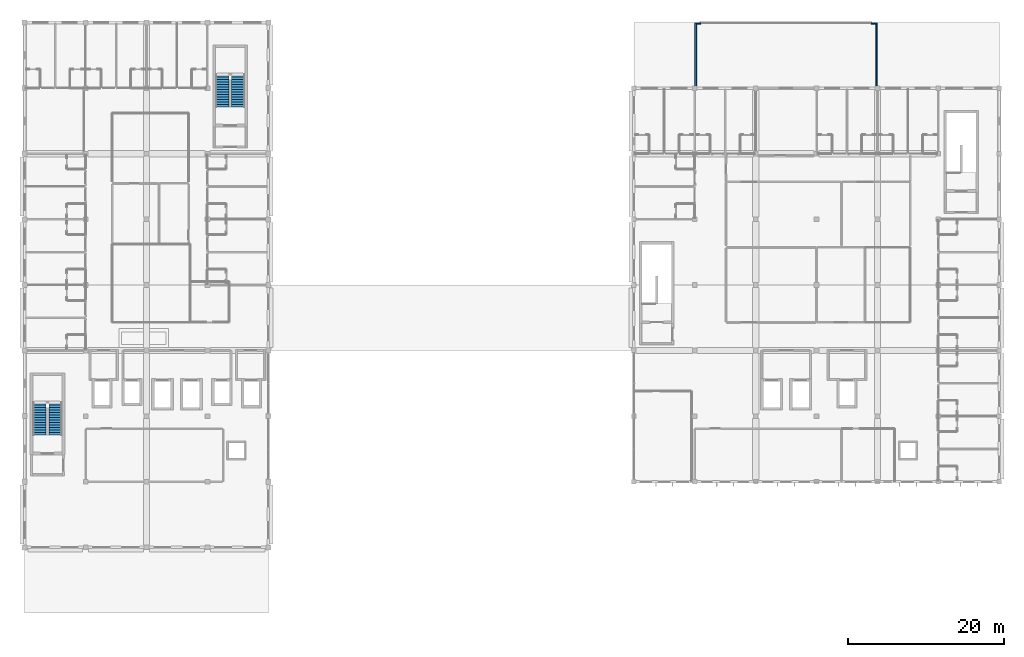
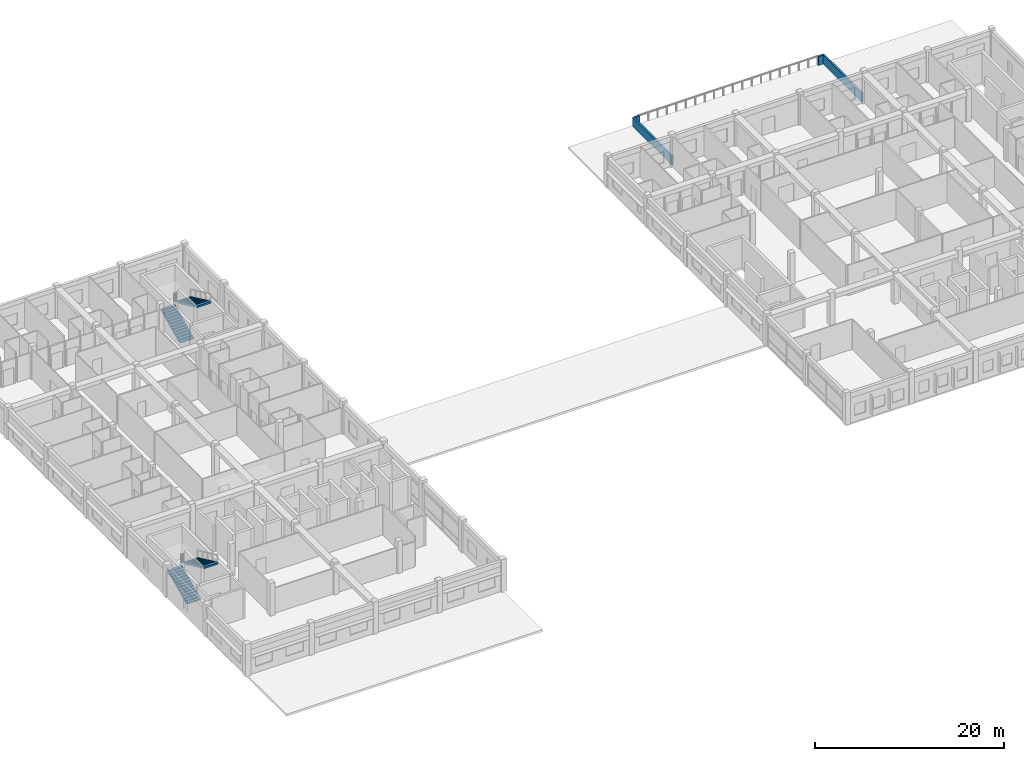
# One storey, part 26 of 32: 4 stair flights, 4 walls, 2 elements without a shape of their own.
"""IFC4 building model written with IfcOpenShell, lengths in metres."""

from ifc_helpers import new_model, si_unit, direction, frame, frame_2d, origin, place, context, subcontext, project, spatial, polyline, rectangle, outline, extrude, material, layer, layer_set, type_object, element, aggregate, save


model = new_model("IFC4")

# Units and contexts
model_context = context("Model", 3, precision=1e-05, world=origin(), true_north=direction((0.0, 1.0)))
body_context = subcontext(model_context, "Body", "Model", "MODEL_VIEW")
ifc_project = project(units=[si_unit("LENGTHUNIT", "METRE"), si_unit("AREAUNIT", "SQUARE_METRE"), si_unit("VOLUMEUNIT", "CUBIC_METRE"), si_unit("PLANEANGLEUNIT", "RADIAN"), si_unit("MASSUNIT", "GRAM", prefix="KILO"), si_unit("THERMODYNAMICTEMPERATUREUNIT", "KELVIN"), si_unit("POWERUNIT", "WATT")], contexts=[model_context])

# Site, building, storey
site_placement = place(None, origin())
site = spatial("IfcSite", under=ifc_project, at=site_placement, CompositionType="ELEMENT")
building_placement = place(site_placement, origin())
building = spatial("IfcBuilding", under=site, at=building_placement, Name="Srebrne Nadtorze General Hospital", CompositionType="ELEMENT")
storey_placement = place(building_placement, frame((0.0, 0.0, 29.699951171875)))
storey = spatial("IfcBuildingStorey", under=building, at=storey_placement, Name="L07", CompositionType="ELEMENT", Elevation=29.699951171875)

# Walls
ifc_material_1 = material(Name="Concrete C35/45 precast", Category="concrete")
ifc_layer = layer(ifc_material_1, 0.219970703125)
ifc_layer_set = layer_set([ifc_layer], Name="Concrete C35/45 precast")
wall_type = type_object("IfcWallType", Name="Roof parapet wall 220", PredefinedType="PARAPET", material=ifc_layer_set)
for number, where, z_axis, x_axis, name in (
    (1, (109.320068359375, 84.050048828125, 0.0), (0.0, 0.0, 1.0), (0.0, 1.0, 0.0), "Terrace divider parapet WP-TER-L07-13"),
    (2, (132.47998046875, 84.050048828125, 0.0), (0.0, 0.0, 1.0), (0.0, 1.0, 0.0), "Terrace divider parapet WP-TER-L07-14"),
):
    element("IfcWall", number, at=place(storey_placement, frame(where, z_axis=z_axis, x_axis=x_axis)), inside=storey, type_object=wall_type, Name=name, PredefinedType="PARAPET", context=body_context, shape_type="SweptSolid", body=[
        extrude(rectangle(XDim=8.300048828125, YDim=0.219970703125, at=frame_2d((4.14990234375, 0.0))), origin(), (0.0, 0.0, 1.0), 1.150146484375),
    ])
for number, where, z_axis, x_axis, name in (
    (3, (109.429931640625, 92.280029296875, 0.0), (0.0, 0.0, 1.0), (1.0, 0.0, 0.0), "Terrace divider parapet WP-TER-L07-15"),
    (4, (131.800048828125, 92.280029296875, 0.0), (0.0, 0.0, 1.0), (1.0, 0.0, 0.0), "Terrace divider parapet WP-TER-L07-16"),
):
    element("IfcWall", number, at=place(storey_placement, frame(where, z_axis=z_axis, x_axis=x_axis)), inside=storey, type_object=wall_type, Name=name, PredefinedType="PARAPET", context=body_context, shape_type="SweptSolid", body=[
        extrude(rectangle(XDim=0.570068359375, YDim=0.219970703125, at=frame_2d((0.28515625, 0.0))), origin(), (0.0, 0.0, 1.0), 1.150146484375),
    ])

# Stair, stair flights
ifc_material_2 = material(Name="Concrete C35/45", Category="concrete")
stair_type = type_object("IfcStairType", Name="Dog-leg escape stair 420", PredefinedType="HALF_TURN_STAIR", material=ifc_material_2)
stair_1_placement = place(storey_placement, origin())
stair_1 = element("IfcStair", 5, at=stair_1_placement, inside=storey, type_object=stair_type, Name="Escape stair ST-01-L07", PredefinedType="HALF_TURN_STAIR")
ifc_material_3 = material(Name="Concrete C35/45", Category="concrete")
stair_flight_type = type_object("IfcStairFlightType", Name="Reinforced concrete stair flight 14R", PredefinedType="STRAIGHT", material=ifc_material_3)
stair_flight_1_placement = place(storey_placement, frame((25.300048828125, 39.60009765625, 0.0), z_axis=(0.0, 0.0, 1.0), x_axis=(0.0, 1.0, 0.0)))
stair_flight_1 = element("IfcStairFlight", 6, at=stair_flight_1_placement, type_object=stair_flight_type, Name="ST-01 flight 1", NumberOfRisers=14, NumberOfTreads=13, PredefinedType="STRAIGHT", RiserHeight=0.15, TreadLength=0.32, context=body_context, shape_type="SweptSolid", body=[
    extrude(outline(polyline([(0.0, 0.0), (0.0, 0.14990234375), (0.320068359375, 0.14990234375), (0.320068359375, 0.300048828125), (0.639892578125, 0.300048828125), (0.639892578125, 0.449951171875), (0.9599609375, 0.449951171875), (0.9599609375, 0.60009765625), (1.280029296875, 0.60009765625), (1.280029296875, 0.75), (1.60009765625, 0.75), (1.60009765625, 0.89990234375), (1.919921875, 0.89990234375), (1.919921875, 1.050048828125), (2.239990234375, 1.050048828125), (2.239990234375, 1.199951171875), (2.56005859375, 1.199951171875), (2.56005859375, 1.35009765625), (2.8798828125, 1.35009765625), (2.8798828125, 1.5), (3.199951171875, 1.5), (3.199951171875, 1.64990234375), (3.52001953125, 1.64990234375), (3.52001953125, 1.800048828125), (3.840087890625, 1.800048828125), (3.840087890625, 1.949951171875), (4.159912109375, 1.949951171875), (4.159912109375, 2.10009765625), (4.159912109375, 1.751220703125), (0.423828125, 0.0), (0.0, 0.0)])), frame((0.0, 0.85009765625, 0.0), z_axis=(0.0, -1.0, 0.0), x_axis=(1.0, 0.0, 0.0)), (0.0, 0.0, 1.0), 1.699951171875),
])
stair_flight_2_placement = place(storey_placement, frame((27.35009765625, 43.760009765625, 2.10009765625), z_axis=(0.0, 0.0, 1.0), x_axis=(0.0, -1.0, 0.0)))
stair_flight_2 = element("IfcStairFlight", 7, at=stair_flight_2_placement, type_object=stair_flight_type, Name="ST-01 flight 2", NumberOfRisers=14, NumberOfTreads=13, PredefinedType="STRAIGHT", RiserHeight=0.15, TreadLength=0.32, context=body_context, shape_type="SweptSolid", body=[
    extrude(outline(polyline([(0.0, 0.0), (0.0, 0.14990234375), (0.320068359375, 0.14990234375), (0.320068359375, 0.300048828125), (0.639892578125, 0.300048828125), (0.639892578125, 0.449951171875), (0.9599609375, 0.449951171875), (0.9599609375, 0.60009765625), (1.280029296875, 0.60009765625), (1.280029296875, 0.75), (1.60009765625, 0.75), (1.60009765625, 0.89990234375), (1.919921875, 0.89990234375), (1.919921875, 1.050048828125), (2.239990234375, 1.050048828125), (2.239990234375, 1.199951171875), (2.56005859375, 1.199951171875), (2.56005859375, 1.35009765625), (2.8798828125, 1.35009765625), (2.8798828125, 1.5), (3.199951171875, 1.5), (3.199951171875, 1.64990234375), (3.52001953125, 1.64990234375), (3.52001953125, 1.800048828125), (3.840087890625, 1.800048828125), (3.840087890625, 1.949951171875), (4.159912109375, 1.949951171875), (4.159912109375, 2.10009765625), (4.159912109375, 1.751220703125), (0.423828125, 0.0), (0.0, 0.0)])), frame((0.0, 0.85009765625, 0.0), z_axis=(0.0, -1.0, 0.0), x_axis=(1.0, 0.0, 0.0)), (0.0, 0.0, 1.0), 1.699951171875),
])
aggregate(stair_1, [stair_flight_1, stair_flight_2])

stair_2_placement = place(storey_placement, origin())
stair_2 = element("IfcStair", 8, at=stair_2_placement, inside=storey, type_object=stair_type, Name="Escape stair ST-02-L07", PredefinedType="HALF_TURN_STAIR")
stair_flight_3_placement = place(storey_placement, frame((48.699951171875, 81.60009765625, 0.0), z_axis=(0.0, 0.0, 1.0), x_axis=(0.0, 1.0, 0.0)))
stair_flight_3 = element("IfcStairFlight", 9, at=stair_flight_3_placement, type_object=stair_flight_type, Name="ST-02 flight 1", NumberOfRisers=14, NumberOfTreads=13, PredefinedType="STRAIGHT", RiserHeight=0.15, TreadLength=0.32, context=body_context, shape_type="SweptSolid", body=[
    extrude(outline(polyline([(0.0, 0.0), (0.0, 0.14990234375), (0.320068359375, 0.14990234375), (0.320068359375, 0.300048828125), (0.639892578125, 0.300048828125), (0.639892578125, 0.449951171875), (0.9599609375, 0.449951171875), (0.9599609375, 0.60009765625), (1.280029296875, 0.60009765625), (1.280029296875, 0.75), (1.60009765625, 0.75), (1.60009765625, 0.89990234375), (1.919921875, 0.89990234375), (1.919921875, 1.050048828125), (2.239990234375, 1.050048828125), (2.239990234375, 1.199951171875), (2.56005859375, 1.199951171875), (2.56005859375, 1.35009765625), (2.8798828125, 1.35009765625), (2.8798828125, 1.5), (3.199951171875, 1.5), (3.199951171875, 1.64990234375), (3.52001953125, 1.64990234375), (3.52001953125, 1.800048828125), (3.840087890625, 1.800048828125), (3.840087890625, 1.949951171875), (4.159912109375, 1.949951171875), (4.159912109375, 2.10009765625), (4.159912109375, 1.751220703125), (0.423828125, 0.0), (0.0, 0.0)])), frame((0.0, 0.85009765625, 0.0), z_axis=(0.0, -1.0, 0.0), x_axis=(1.0, 0.0, 0.0)), (0.0, 0.0, 1.0), 1.699951171875),
])
stair_flight_4_placement = place(storey_placement, frame((50.75, 85.760009765625, 2.10009765625), z_axis=(0.0, 0.0, 1.0), x_axis=(0.0, -1.0, 0.0)))
stair_flight_4 = element("IfcStairFlight", 10, at=stair_flight_4_placement, type_object=stair_flight_type, Name="ST-02 flight 2", NumberOfRisers=14, NumberOfTreads=13, PredefinedType="STRAIGHT", RiserHeight=0.15, TreadLength=0.32, context=body_context, shape_type="SweptSolid", body=[
    extrude(outline(polyline([(0.0, 0.0), (0.0, 0.14990234375), (0.320068359375, 0.14990234375), (0.320068359375, 0.300048828125), (0.639892578125, 0.300048828125), (0.639892578125, 0.449951171875), (0.9599609375, 0.449951171875), (0.9599609375, 0.60009765625), (1.280029296875, 0.60009765625), (1.280029296875, 0.75), (1.60009765625, 0.75), (1.60009765625, 0.89990234375), (1.919921875, 0.89990234375), (1.919921875, 1.050048828125), (2.239990234375, 1.050048828125), (2.239990234375, 1.199951171875), (2.56005859375, 1.199951171875), (2.56005859375, 1.35009765625), (2.8798828125, 1.35009765625), (2.8798828125, 1.5), (3.199951171875, 1.5), (3.199951171875, 1.64990234375), (3.52001953125, 1.64990234375), (3.52001953125, 1.800048828125), (3.840087890625, 1.800048828125), (3.840087890625, 1.949951171875), (4.159912109375, 1.949951171875), (4.159912109375, 2.10009765625), (4.159912109375, 1.751220703125), (0.423828125, 0.0), (0.0, 0.0)])), frame((0.0, 0.85009765625, 0.0), z_axis=(0.0, -1.0, 0.0), x_axis=(1.0, 0.0, 0.0)), (0.0, 0.0, 1.0), 1.699951171875),
])
aggregate(stair_2, [stair_flight_3, stair_flight_4])

save(model, "model.ifc")
